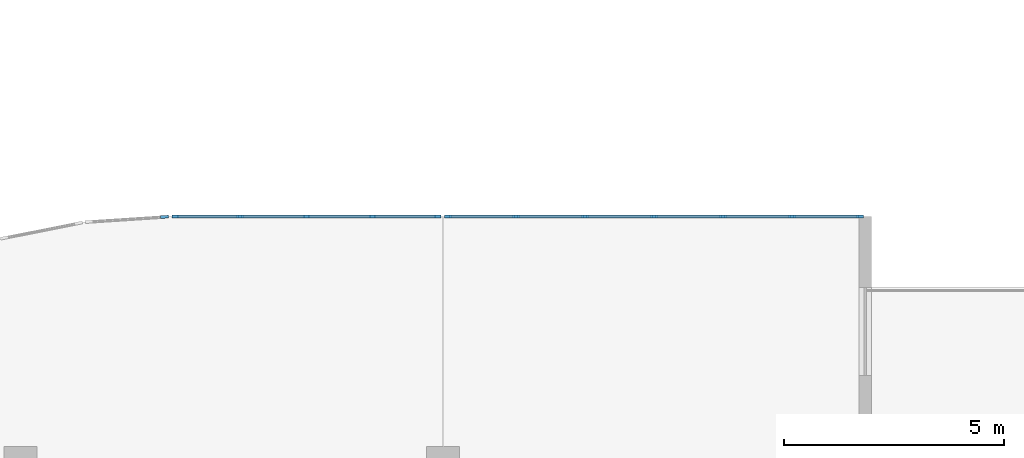
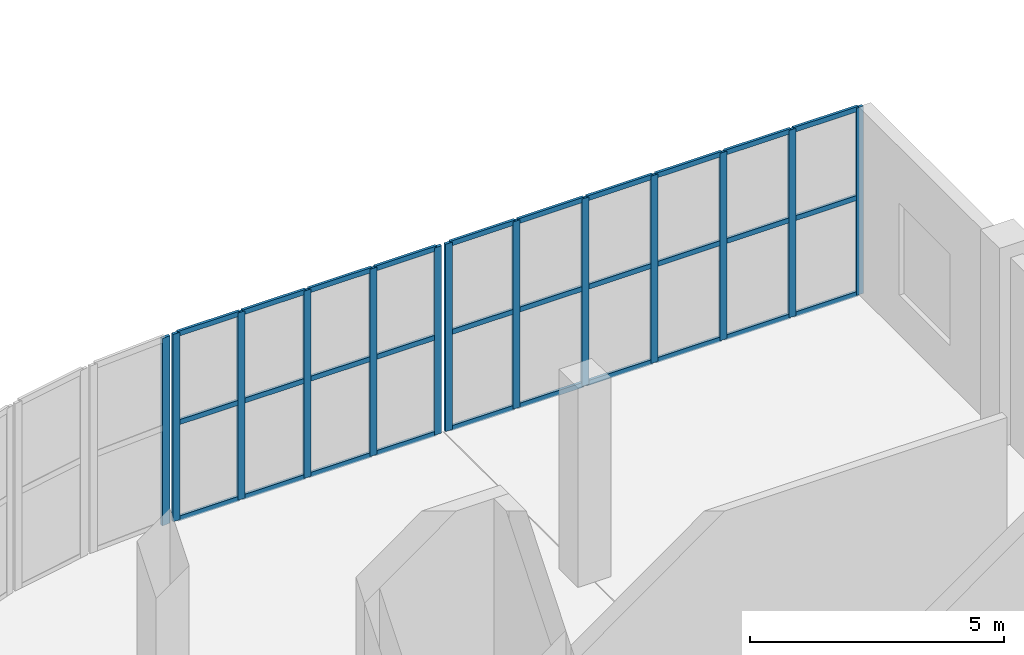
# One storey, part 14 of 28: 43 members, 3 elements without a shape of their own.
"""IFC4 building model written with IfcOpenShell, lengths in metres."""

from ifc_helpers import new_model, si_unit, direction, frame, origin, origin_2d, place, context, subcontext, project, spatial, rectangle, extrude, material, layer, layer_set, material_profile, profile_set, type_object, element, aggregate, save


model = new_model("IFC4")

# Units and contexts
model_context = context("Model", 3, precision=1e-05, world=origin(), true_north=direction((0.0, 1.0)))
body_context = subcontext(model_context, "Body", "Model", "MODEL_VIEW")
ifc_project = project(units=[si_unit("LENGTHUNIT", "METRE"), si_unit("AREAUNIT", "SQUARE_METRE"), si_unit("VOLUMEUNIT", "CUBIC_METRE"), si_unit("PLANEANGLEUNIT", "RADIAN"), si_unit("MASSUNIT", "GRAM", prefix="KILO")], contexts=[model_context])

# Site, building, storey
site_placement = place(None, origin())
site = spatial("IfcSite", under=ifc_project, at=site_placement, CompositionType="ELEMENT")
building_placement = place(site_placement, origin())
building = spatial("IfcBuilding", under=site, at=building_placement, Name="Cendralis Terraced Arcade", CompositionType="ELEMENT")
storey_placement = place(building_placement, frame((0.0, 0.0, 24.60009765625)))
storey = spatial("IfcBuildingStorey", under=building, at=storey_placement, Name="L05", CompositionType="ELEMENT", Elevation=24.60009765625)

# Curtain wall, member
ifc_material = material(Name="Anodised aluminium EN AW-6063 T6", Category="aluminium")
ifc_layer_1 = layer(ifc_material, 0.179931640625, Name="CW-UNIT-A")
ifc_layer_set_1 = layer_set([ifc_layer_1], Name="Anodised aluminium EN AW-6063 T6")
curtain_wall_type_1 = type_object("IfcCurtainWallType", Name="CW-UNIT-A", PredefinedType="USERDEFINED", material=ifc_layer_set_1)
curtain_wall_1_placement = place(storey_placement, origin())
curtain_wall_1 = element("IfcCurtainWall", 1, at=curtain_wall_1_placement, inside=storey, type_object=curtain_wall_type_1, Name="Exterior Unitised Facade CW-L05-0442", ObjectType="UNITISED FACADE", PredefinedType="USERDEFINED")
ifc_material_profile_1 = material_profile(ifc_material, rectangle(XDim=0.06494140625, YDim=0.179931640625, at=origin_2d()), Name="ALU-MUL-65x180")
ifc_profile_set_1 = profile_set([ifc_material_profile_1], Name="Anodised aluminium EN AW-6063 T6")
member_type_1 = type_object("IfcMemberType", Name="CW-UNIT-A-MUL", PredefinedType="MULLION", material=ifc_profile_set_1)
member_1_placement = place(storey_placement, frame((22.477783203125, 84.7919921875, 0.0), z_axis=(0.0, 0.0, 1.0), x_axis=(-0.065371873798, 0.997860971336, 0.0)))
member_1 = element("IfcMember", 2, at=member_1_placement, type_object=member_type_1, Name="CW-U1 mullion 2", PredefinedType="MULLION", context=body_context, shape_type="SweptSolid", body=[
    extrude(rectangle(XDim=0.06494140625, YDim=0.179931640625, at=origin_2d()), origin(), (0.0, 0.0, 1.0), 4.510009765625),
])
aggregate(curtain_wall_1, [member_1])

# Curtain wall, members
ifc_layer_2 = layer(ifc_material, 0.159912109375, Name="CW-UNIT-B")
ifc_layer_set_2 = layer_set([ifc_layer_2], Name="Anodised aluminium EN AW-6063 T6")
curtain_wall_type_2 = type_object("IfcCurtainWallType", Name="CW-UNIT-B", PredefinedType="USERDEFINED", material=ifc_layer_set_2)
curtain_wall_2_placement = place(storey_placement, origin())
curtain_wall_2 = element("IfcCurtainWall", 3, at=curtain_wall_2_placement, inside=storey, type_object=curtain_wall_type_2, Name="Exterior Unitised Facade CW-L05-0443", ObjectType="UNITISED FACADE", PredefinedType="USERDEFINED")
ifc_material_profile_2 = material_profile(ifc_material, rectangle(XDim=0.06494140625, YDim=0.159912109375, at=origin_2d()), Name="ALU-MUL-65x160")
ifc_profile_set_2 = profile_set([ifc_material_profile_2], Name="Anodised aluminium EN AW-6063 T6")
member_type_2 = type_object("IfcMemberType", Name="CW-UNIT-B-MUL", PredefinedType="MULLION", material=ifc_profile_set_2)
member_2_placement = place(storey_placement, frame((22.722412109375, 84.800048828125, 0.0), z_axis=(0.0, 0.0, 1.0), x_axis=(0.0, 1.0, 0.0)))
member_2 = element("IfcMember", 4, at=member_2_placement, type_object=member_type_2, Name="CW-U2 mullion 1", PredefinedType="MULLION", context=body_context, shape_type="SweptSolid", body=[
    extrude(rectangle(XDim=0.06494140625, YDim=0.159912109375, at=origin_2d()), origin(), (0.0, 0.0, 1.0), 4.510009765625),
])
member_3_placement = place(storey_placement, frame((24.195068359375, 84.800048828125, 0.0), z_axis=(0.0, 0.0, 1.0), x_axis=(0.0, 1.0, 0.0)))
member_3 = element("IfcMember", 5, at=member_3_placement, type_object=member_type_2, Name="CW-U2 mullion 2", PredefinedType="MULLION", context=body_context, shape_type="SweptSolid", body=[
    extrude(rectangle(XDim=0.06494140625, YDim=0.159912109375, at=origin_2d()), origin(), (0.0, 0.0, 1.0), 4.510009765625),
])
member_4_placement = place(storey_placement, frame((25.699951171875, 84.800048828125, 0.0), z_axis=(0.0, 0.0, 1.0), x_axis=(0.0, 1.0, 0.0)))
member_4 = element("IfcMember", 6, at=member_4_placement, type_object=member_type_2, Name="CW-U2 mullion 3", PredefinedType="MULLION", context=body_context, shape_type="SweptSolid", body=[
    extrude(rectangle(XDim=0.06494140625, YDim=0.159912109375, at=origin_2d()), origin(), (0.0, 0.0, 1.0), 4.510009765625),
])
member_5_placement = place(storey_placement, frame((27.205078125, 84.800048828125, 0.0), z_axis=(0.0, 0.0, 1.0), x_axis=(0.0, 1.0, 0.0)))
member_5 = element("IfcMember", 7, at=member_5_placement, type_object=member_type_2, Name="CW-U2 mullion 4", PredefinedType="MULLION", context=body_context, shape_type="SweptSolid", body=[
    extrude(rectangle(XDim=0.06494140625, YDim=0.159912109375, at=origin_2d()), origin(), (0.0, 0.0, 1.0), 4.510009765625),
])
member_6_placement = place(storey_placement, frame((28.677490234375, 84.800048828125, 0.0), z_axis=(0.0, 0.0, 1.0), x_axis=(0.0, 1.0, 0.0)))
member_6 = element("IfcMember", 8, at=member_6_placement, type_object=member_type_2, Name="CW-U2 mullion 5", PredefinedType="MULLION", context=body_context, shape_type="SweptSolid", body=[
    extrude(rectangle(XDim=0.06494140625, YDim=0.159912109375, at=origin_2d()), origin(), (0.0, 0.0, 1.0), 4.510009765625),
])

curtain_wall_3_placement = place(storey_placement, origin())
curtain_wall_3 = element("IfcCurtainWall", 9, at=curtain_wall_3_placement, inside=storey, type_object=curtain_wall_type_2, Name="Exterior Unitised Facade CW-L05-0444", ObjectType="UNITISED FACADE", PredefinedType="USERDEFINED")
member_7_placement = place(storey_placement, frame((28.922607421875, 84.800048828125, 0.0), z_axis=(0.0, 0.0, 1.0), x_axis=(0.0, 1.0, 0.0)))
member_7 = element("IfcMember", 10, at=member_7_placement, type_object=member_type_2, Name="CW-U2 mullion 1", PredefinedType="MULLION", context=body_context, shape_type="SweptSolid", body=[
    extrude(rectangle(XDim=0.06494140625, YDim=0.159912109375, at=origin_2d()), origin(), (0.0, 0.0, 1.0), 4.510009765625),
])
member_8_placement = place(storey_placement, frame((30.4599609375, 84.800048828125, 0.0), z_axis=(0.0, 0.0, 1.0), x_axis=(0.0, 1.0, 0.0)))
member_8 = element("IfcMember", 11, at=member_8_placement, type_object=member_type_2, Name="CW-U2 mullion 2", PredefinedType="MULLION", context=body_context, shape_type="SweptSolid", body=[
    extrude(rectangle(XDim=0.06494140625, YDim=0.159912109375, at=origin_2d()), origin(), (0.0, 0.0, 1.0), 4.510009765625),
])
member_9_placement = place(storey_placement, frame((32.030029296875, 84.800048828125, 0.0), z_axis=(0.0, 0.0, 1.0), x_axis=(0.0, 1.0, 0.0)))
member_9 = element("IfcMember", 12, at=member_9_placement, type_object=member_type_2, Name="CW-U2 mullion 3", PredefinedType="MULLION", context=body_context, shape_type="SweptSolid", body=[
    extrude(rectangle(XDim=0.06494140625, YDim=0.159912109375, at=origin_2d()), origin(), (0.0, 0.0, 1.0), 4.510009765625),
])
member_10_placement = place(storey_placement, frame((33.60009765625, 84.800048828125, 0.0), z_axis=(0.0, 0.0, 1.0), x_axis=(0.0, 1.0, 0.0)))
member_10 = element("IfcMember", 13, at=member_10_placement, type_object=member_type_2, Name="CW-U2 mullion 4", PredefinedType="MULLION", context=body_context, shape_type="SweptSolid", body=[
    extrude(rectangle(XDim=0.06494140625, YDim=0.159912109375, at=origin_2d()), origin(), (0.0, 0.0, 1.0), 4.510009765625),
])
member_11_placement = place(storey_placement, frame((35.169921875, 84.800048828125, 0.0), z_axis=(0.0, 0.0, 1.0), x_axis=(0.0, 1.0, 0.0)))
member_11 = element("IfcMember", 14, at=member_11_placement, type_object=member_type_2, Name="CW-U2 mullion 5", PredefinedType="MULLION", context=body_context, shape_type="SweptSolid", body=[
    extrude(rectangle(XDim=0.06494140625, YDim=0.159912109375, at=origin_2d()), origin(), (0.0, 0.0, 1.0), 4.510009765625),
])
member_12_placement = place(storey_placement, frame((36.739990234375, 84.800048828125, 0.0), z_axis=(0.0, 0.0, 1.0), x_axis=(0.0, 1.0, 0.0)))
member_12 = element("IfcMember", 15, at=member_12_placement, type_object=member_type_2, Name="CW-U2 mullion 6", PredefinedType="MULLION", context=body_context, shape_type="SweptSolid", body=[
    extrude(rectangle(XDim=0.06494140625, YDim=0.159912109375, at=origin_2d()), origin(), (0.0, 0.0, 1.0), 4.510009765625),
])
member_13_placement = place(storey_placement, frame((38.277587890625, 84.800048828125, 0.0), z_axis=(0.0, 0.0, 1.0), x_axis=(0.0, 1.0, 0.0)))
member_13 = element("IfcMember", 16, at=member_13_placement, type_object=member_type_2, Name="CW-U2 mullion 7", PredefinedType="MULLION", context=body_context, shape_type="SweptSolid", body=[
    extrude(rectangle(XDim=0.06494140625, YDim=0.159912109375, at=origin_2d()), origin(), (0.0, 0.0, 1.0), 4.510009765625),
])

# Member
ifc_material_profile_3 = material_profile(ifc_material, rectangle(XDim=0.06005859375, YDim=0.1201171875, at=origin_2d()), Name="ALU-TRN-60x120")
ifc_profile_set_3 = profile_set([ifc_material_profile_3], Name="Anodised aluminium EN AW-6063 T6")
member_type_3 = type_object("IfcMemberType", Name="CW-UNIT-B-TRN", PredefinedType="USERDEFINED", material=ifc_profile_set_3)
member_14_placement = place(storey_placement, frame((22.7548828125, 84.800048828125, 0.02978515625), z_axis=(1.0, 0.0, 0.0), x_axis=(0.0, 1.0, 0.0)))
member_14 = element("IfcMember", 17, at=member_14_placement, type_object=member_type_3, Name="CW-U2 transom 1.1", ObjectType="TRANSOM", PredefinedType="USERDEFINED", context=body_context, shape_type="SweptSolid", body=[
    extrude(rectangle(XDim=0.06005859375, YDim=0.1201171875, at=origin_2d()), origin(), (0.0, 0.0, 1.0), 1.40771484375),
])

member_15_placement = place(storey_placement, frame((22.7548828125, 84.800048828125, 2.34521484375), z_axis=(1.0, 0.0, 0.0), x_axis=(0.0, 1.0, 0.0)))
member_15 = element("IfcMember", 18, at=member_15_placement, type_object=member_type_3, Name="CW-U2 transom 1.2", ObjectType="TRANSOM", PredefinedType="USERDEFINED", context=body_context, shape_type="SweptSolid", body=[
    extrude(rectangle(XDim=0.06005859375, YDim=0.1201171875, at=origin_2d()), origin(), (0.0, 0.0, 1.0), 1.40771484375),
])

member_16_placement = place(storey_placement, frame((22.7548828125, 84.800048828125, 4.47998046875), z_axis=(1.0, 0.0, 0.0), x_axis=(0.0, 1.0, 0.0)))
member_16 = element("IfcMember", 19, at=member_16_placement, type_object=member_type_3, Name="CW-U2 transom 1.3", ObjectType="TRANSOM", PredefinedType="USERDEFINED", context=body_context, shape_type="SweptSolid", body=[
    extrude(rectangle(XDim=0.06005859375, YDim=0.1201171875, at=origin_2d()), origin(), (0.0, 0.0, 1.0), 1.40771484375),
])

member_17_placement = place(storey_placement, frame((24.2275390625, 84.800048828125, 0.02978515625), z_axis=(1.0, 0.0, 0.0), x_axis=(0.0, 1.0, 0.0)))
member_17 = element("IfcMember", 20, at=member_17_placement, type_object=member_type_3, Name="CW-U2 transom 2.1", ObjectType="TRANSOM", PredefinedType="USERDEFINED", context=body_context, shape_type="SweptSolid", body=[
    extrude(rectangle(XDim=0.06005859375, YDim=0.1201171875, at=origin_2d()), origin(), (0.0, 0.0, 1.0), 1.43994140625),
])

member_18_placement = place(storey_placement, frame((24.2275390625, 84.800048828125, 2.34521484375), z_axis=(1.0, 0.0, 0.0), x_axis=(0.0, 1.0, 0.0)))
member_18 = element("IfcMember", 21, at=member_18_placement, type_object=member_type_3, Name="CW-U2 transom 2.2", ObjectType="TRANSOM", PredefinedType="USERDEFINED", context=body_context, shape_type="SweptSolid", body=[
    extrude(rectangle(XDim=0.06005859375, YDim=0.1201171875, at=origin_2d()), origin(), (0.0, 0.0, 1.0), 1.43994140625),
])

member_19_placement = place(storey_placement, frame((24.2275390625, 84.800048828125, 4.47998046875), z_axis=(1.0, 0.0, 0.0), x_axis=(0.0, 1.0, 0.0)))
member_19 = element("IfcMember", 22, at=member_19_placement, type_object=member_type_3, Name="CW-U2 transom 2.3", ObjectType="TRANSOM", PredefinedType="USERDEFINED", context=body_context, shape_type="SweptSolid", body=[
    extrude(rectangle(XDim=0.06005859375, YDim=0.1201171875, at=origin_2d()), origin(), (0.0, 0.0, 1.0), 1.43994140625),
])

member_20_placement = place(storey_placement, frame((25.732421875, 84.800048828125, 0.02978515625), z_axis=(1.0, 0.0, 0.0), x_axis=(0.0, 1.0, 0.0)))
member_20 = element("IfcMember", 23, at=member_20_placement, type_object=member_type_3, Name="CW-U2 transom 3.1", ObjectType="TRANSOM", PredefinedType="USERDEFINED", context=body_context, shape_type="SweptSolid", body=[
    extrude(rectangle(XDim=0.06005859375, YDim=0.1201171875, at=origin_2d()), origin(), (0.0, 0.0, 1.0), 1.440185546875),
])

member_21_placement = place(storey_placement, frame((25.732421875, 84.800048828125, 2.34521484375), z_axis=(1.0, 0.0, 0.0), x_axis=(0.0, 1.0, 0.0)))
member_21 = element("IfcMember", 24, at=member_21_placement, type_object=member_type_3, Name="CW-U2 transom 3.2", ObjectType="TRANSOM", PredefinedType="USERDEFINED", context=body_context, shape_type="SweptSolid", body=[
    extrude(rectangle(XDim=0.06005859375, YDim=0.1201171875, at=origin_2d()), origin(), (0.0, 0.0, 1.0), 1.440185546875),
])

member_22_placement = place(storey_placement, frame((25.732421875, 84.800048828125, 4.47998046875), z_axis=(1.0, 0.0, 0.0), x_axis=(0.0, 1.0, 0.0)))
member_22 = element("IfcMember", 25, at=member_22_placement, type_object=member_type_3, Name="CW-U2 transom 3.3", ObjectType="TRANSOM", PredefinedType="USERDEFINED", context=body_context, shape_type="SweptSolid", body=[
    extrude(rectangle(XDim=0.06005859375, YDim=0.1201171875, at=origin_2d()), origin(), (0.0, 0.0, 1.0), 1.440185546875),
])

member_23_placement = place(storey_placement, frame((27.237548828125, 84.800048828125, 0.02978515625), z_axis=(1.0, 0.0, 0.0), x_axis=(0.0, 1.0, 0.0)))
member_23 = element("IfcMember", 26, at=member_23_placement, type_object=member_type_3, Name="CW-U2 transom 4.1", ObjectType="TRANSOM", PredefinedType="USERDEFINED", context=body_context, shape_type="SweptSolid", body=[
    extrude(rectangle(XDim=0.06005859375, YDim=0.1201171875, at=origin_2d()), origin(), (0.0, 0.0, 1.0), 1.407470703125),
])

member_24_placement = place(storey_placement, frame((27.237548828125, 84.800048828125, 2.34521484375), z_axis=(1.0, 0.0, 0.0), x_axis=(0.0, 1.0, 0.0)))
member_24 = element("IfcMember", 27, at=member_24_placement, type_object=member_type_3, Name="CW-U2 transom 4.2", ObjectType="TRANSOM", PredefinedType="USERDEFINED", context=body_context, shape_type="SweptSolid", body=[
    extrude(rectangle(XDim=0.06005859375, YDim=0.1201171875, at=origin_2d()), origin(), (0.0, 0.0, 1.0), 1.407470703125),
])

member_25_placement = place(storey_placement, frame((27.237548828125, 84.800048828125, 4.47998046875), z_axis=(1.0, 0.0, 0.0), x_axis=(0.0, 1.0, 0.0)))
member_25 = element("IfcMember", 28, at=member_25_placement, type_object=member_type_3, Name="CW-U2 transom 4.3", ObjectType="TRANSOM", PredefinedType="USERDEFINED", context=body_context, shape_type="SweptSolid", body=[
    extrude(rectangle(XDim=0.06005859375, YDim=0.1201171875, at=origin_2d()), origin(), (0.0, 0.0, 1.0), 1.407470703125),
])

aggregate(curtain_wall_2, [member_2, member_3, member_4, member_5, member_6, member_14, member_15, member_16, member_17, member_18, member_19, member_20, member_21, member_22, member_23, member_24, member_25])

member_26_placement = place(storey_placement, frame((28.955078125, 84.800048828125, 0.02978515625), z_axis=(1.0, 0.0, 0.0), x_axis=(0.0, 1.0, 0.0)))
member_26 = element("IfcMember", 29, at=member_26_placement, type_object=member_type_3, Name="CW-U2 transom 1.1", ObjectType="TRANSOM", PredefinedType="USERDEFINED", context=body_context, shape_type="SweptSolid", body=[
    extrude(rectangle(XDim=0.06005859375, YDim=0.1201171875, at=origin_2d()), origin(), (0.0, 0.0, 1.0), 1.472412109375),
])

member_27_placement = place(storey_placement, frame((28.955078125, 84.800048828125, 2.34521484375), z_axis=(1.0, 0.0, 0.0), x_axis=(0.0, 1.0, 0.0)))
member_27 = element("IfcMember", 30, at=member_27_placement, type_object=member_type_3, Name="CW-U2 transom 1.2", ObjectType="TRANSOM", PredefinedType="USERDEFINED", context=body_context, shape_type="SweptSolid", body=[
    extrude(rectangle(XDim=0.06005859375, YDim=0.1201171875, at=origin_2d()), origin(), (0.0, 0.0, 1.0), 1.472412109375),
])

member_28_placement = place(storey_placement, frame((28.955078125, 84.800048828125, 4.47998046875), z_axis=(1.0, 0.0, 0.0), x_axis=(0.0, 1.0, 0.0)))
member_28 = element("IfcMember", 31, at=member_28_placement, type_object=member_type_3, Name="CW-U2 transom 1.3", ObjectType="TRANSOM", PredefinedType="USERDEFINED", context=body_context, shape_type="SweptSolid", body=[
    extrude(rectangle(XDim=0.06005859375, YDim=0.1201171875, at=origin_2d()), origin(), (0.0, 0.0, 1.0), 1.472412109375),
])

member_29_placement = place(storey_placement, frame((30.492431640625, 84.800048828125, 0.02978515625), z_axis=(1.0, 0.0, 0.0), x_axis=(0.0, 1.0, 0.0)))
member_29 = element("IfcMember", 32, at=member_29_placement, type_object=member_type_3, Name="CW-U2 transom 2.1", ObjectType="TRANSOM", PredefinedType="USERDEFINED", context=body_context, shape_type="SweptSolid", body=[
    extrude(rectangle(XDim=0.06005859375, YDim=0.1201171875, at=origin_2d()), origin(), (0.0, 0.0, 1.0), 1.505126953125),
])

member_30_placement = place(storey_placement, frame((30.492431640625, 84.800048828125, 2.34521484375), z_axis=(1.0, 0.0, 0.0), x_axis=(0.0, 1.0, 0.0)))
member_30 = element("IfcMember", 33, at=member_30_placement, type_object=member_type_3, Name="CW-U2 transom 2.2", ObjectType="TRANSOM", PredefinedType="USERDEFINED", context=body_context, shape_type="SweptSolid", body=[
    extrude(rectangle(XDim=0.06005859375, YDim=0.1201171875, at=origin_2d()), origin(), (0.0, 0.0, 1.0), 1.505126953125),
])

member_31_placement = place(storey_placement, frame((30.492431640625, 84.800048828125, 4.47998046875), z_axis=(1.0, 0.0, 0.0), x_axis=(0.0, 1.0, 0.0)))
member_31 = element("IfcMember", 34, at=member_31_placement, type_object=member_type_3, Name="CW-U2 transom 2.3", ObjectType="TRANSOM", PredefinedType="USERDEFINED", context=body_context, shape_type="SweptSolid", body=[
    extrude(rectangle(XDim=0.06005859375, YDim=0.1201171875, at=origin_2d()), origin(), (0.0, 0.0, 1.0), 1.505126953125),
])

member_32_placement = place(storey_placement, frame((32.0625, 84.800048828125, 0.02978515625), z_axis=(1.0, 0.0, 0.0), x_axis=(0.0, 1.0, 0.0)))
member_32 = element("IfcMember", 35, at=member_32_placement, type_object=member_type_3, Name="CW-U2 transom 3.1", ObjectType="TRANSOM", PredefinedType="USERDEFINED", context=body_context, shape_type="SweptSolid", body=[
    extrude(rectangle(XDim=0.06005859375, YDim=0.1201171875, at=origin_2d()), origin(), (0.0, 0.0, 1.0), 1.5048828125),
])

member_33_placement = place(storey_placement, frame((32.0625, 84.800048828125, 2.34521484375), z_axis=(1.0, 0.0, 0.0), x_axis=(0.0, 1.0, 0.0)))
member_33 = element("IfcMember", 36, at=member_33_placement, type_object=member_type_3, Name="CW-U2 transom 3.2", ObjectType="TRANSOM", PredefinedType="USERDEFINED", context=body_context, shape_type="SweptSolid", body=[
    extrude(rectangle(XDim=0.06005859375, YDim=0.1201171875, at=origin_2d()), origin(), (0.0, 0.0, 1.0), 1.5048828125),
])

member_34_placement = place(storey_placement, frame((32.0625, 84.800048828125, 4.47998046875), z_axis=(1.0, 0.0, 0.0), x_axis=(0.0, 1.0, 0.0)))
member_34 = element("IfcMember", 37, at=member_34_placement, type_object=member_type_3, Name="CW-U2 transom 3.3", ObjectType="TRANSOM", PredefinedType="USERDEFINED", context=body_context, shape_type="SweptSolid", body=[
    extrude(rectangle(XDim=0.06005859375, YDim=0.1201171875, at=origin_2d()), origin(), (0.0, 0.0, 1.0), 1.5048828125),
])

member_35_placement = place(storey_placement, frame((33.632568359375, 84.800048828125, 0.02978515625), z_axis=(1.0, 0.0, 0.0), x_axis=(0.0, 1.0, 0.0)))
member_35 = element("IfcMember", 38, at=member_35_placement, type_object=member_type_3, Name="CW-U2 transom 4.1", ObjectType="TRANSOM", PredefinedType="USERDEFINED", context=body_context, shape_type="SweptSolid", body=[
    extrude(rectangle(XDim=0.06005859375, YDim=0.1201171875, at=origin_2d()), origin(), (0.0, 0.0, 1.0), 1.5048828125),
])

member_36_placement = place(storey_placement, frame((33.632568359375, 84.800048828125, 2.34521484375), z_axis=(1.0, 0.0, 0.0), x_axis=(0.0, 1.0, 0.0)))
member_36 = element("IfcMember", 39, at=member_36_placement, type_object=member_type_3, Name="CW-U2 transom 4.2", ObjectType="TRANSOM", PredefinedType="USERDEFINED", context=body_context, shape_type="SweptSolid", body=[
    extrude(rectangle(XDim=0.06005859375, YDim=0.1201171875, at=origin_2d()), origin(), (0.0, 0.0, 1.0), 1.5048828125),
])

member_37_placement = place(storey_placement, frame((33.632568359375, 84.800048828125, 4.47998046875), z_axis=(1.0, 0.0, 0.0), x_axis=(0.0, 1.0, 0.0)))
member_37 = element("IfcMember", 40, at=member_37_placement, type_object=member_type_3, Name="CW-U2 transom 4.3", ObjectType="TRANSOM", PredefinedType="USERDEFINED", context=body_context, shape_type="SweptSolid", body=[
    extrude(rectangle(XDim=0.06005859375, YDim=0.1201171875, at=origin_2d()), origin(), (0.0, 0.0, 1.0), 1.5048828125),
])

member_38_placement = place(storey_placement, frame((35.202392578125, 84.800048828125, 0.02978515625), z_axis=(1.0, 0.0, 0.0), x_axis=(0.0, 1.0, 0.0)))
member_38 = element("IfcMember", 41, at=member_38_placement, type_object=member_type_3, Name="CW-U2 transom 5.1", ObjectType="TRANSOM", PredefinedType="USERDEFINED", context=body_context, shape_type="SweptSolid", body=[
    extrude(rectangle(XDim=0.06005859375, YDim=0.1201171875, at=origin_2d()), origin(), (0.0, 0.0, 1.0), 1.505126953125),
])

member_39_placement = place(storey_placement, frame((35.202392578125, 84.800048828125, 2.34521484375), z_axis=(1.0, 0.0, 0.0), x_axis=(0.0, 1.0, 0.0)))
member_39 = element("IfcMember", 42, at=member_39_placement, type_object=member_type_3, Name="CW-U2 transom 5.2", ObjectType="TRANSOM", PredefinedType="USERDEFINED", context=body_context, shape_type="SweptSolid", body=[
    extrude(rectangle(XDim=0.06005859375, YDim=0.1201171875, at=origin_2d()), origin(), (0.0, 0.0, 1.0), 1.505126953125),
])

member_40_placement = place(storey_placement, frame((35.202392578125, 84.800048828125, 4.47998046875), z_axis=(1.0, 0.0, 0.0), x_axis=(0.0, 1.0, 0.0)))
member_40 = element("IfcMember", 43, at=member_40_placement, type_object=member_type_3, Name="CW-U2 transom 5.3", ObjectType="TRANSOM", PredefinedType="USERDEFINED", context=body_context, shape_type="SweptSolid", body=[
    extrude(rectangle(XDim=0.06005859375, YDim=0.1201171875, at=origin_2d()), origin(), (0.0, 0.0, 1.0), 1.505126953125),
])

member_41_placement = place(storey_placement, frame((36.7724609375, 84.800048828125, 0.02978515625), z_axis=(1.0, 0.0, 0.0), x_axis=(0.0, 1.0, 0.0)))
member_41 = element("IfcMember", 44, at=member_41_placement, type_object=member_type_3, Name="CW-U2 transom 6.1", ObjectType="TRANSOM", PredefinedType="USERDEFINED", context=body_context, shape_type="SweptSolid", body=[
    extrude(rectangle(XDim=0.06005859375, YDim=0.1201171875, at=origin_2d()), origin(), (0.0, 0.0, 1.0), 1.47265625),
])

member_42_placement = place(storey_placement, frame((36.7724609375, 84.800048828125, 2.34521484375), z_axis=(1.0, 0.0, 0.0), x_axis=(0.0, 1.0, 0.0)))
member_42 = element("IfcMember", 45, at=member_42_placement, type_object=member_type_3, Name="CW-U2 transom 6.2", ObjectType="TRANSOM", PredefinedType="USERDEFINED", context=body_context, shape_type="SweptSolid", body=[
    extrude(rectangle(XDim=0.06005859375, YDim=0.1201171875, at=origin_2d()), origin(), (0.0, 0.0, 1.0), 1.47265625),
])

member_43_placement = place(storey_placement, frame((36.7724609375, 84.800048828125, 4.47998046875), z_axis=(1.0, 0.0, 0.0), x_axis=(0.0, 1.0, 0.0)))
member_43 = element("IfcMember", 46, at=member_43_placement, type_object=member_type_3, Name="CW-U2 transom 6.3", ObjectType="TRANSOM", PredefinedType="USERDEFINED", context=body_context, shape_type="SweptSolid", body=[
    extrude(rectangle(XDim=0.06005859375, YDim=0.1201171875, at=origin_2d()), origin(), (0.0, 0.0, 1.0), 1.47265625),
])

aggregate(curtain_wall_3, [member_7, member_8, member_9, member_10, member_11, member_12, member_13, member_26, member_27, member_28, member_29, member_30, member_31, member_32, member_33, member_34, member_35, member_36, member_37, member_38, member_39, member_40, member_41, member_42, member_43])

save(model, "model.ifc")
